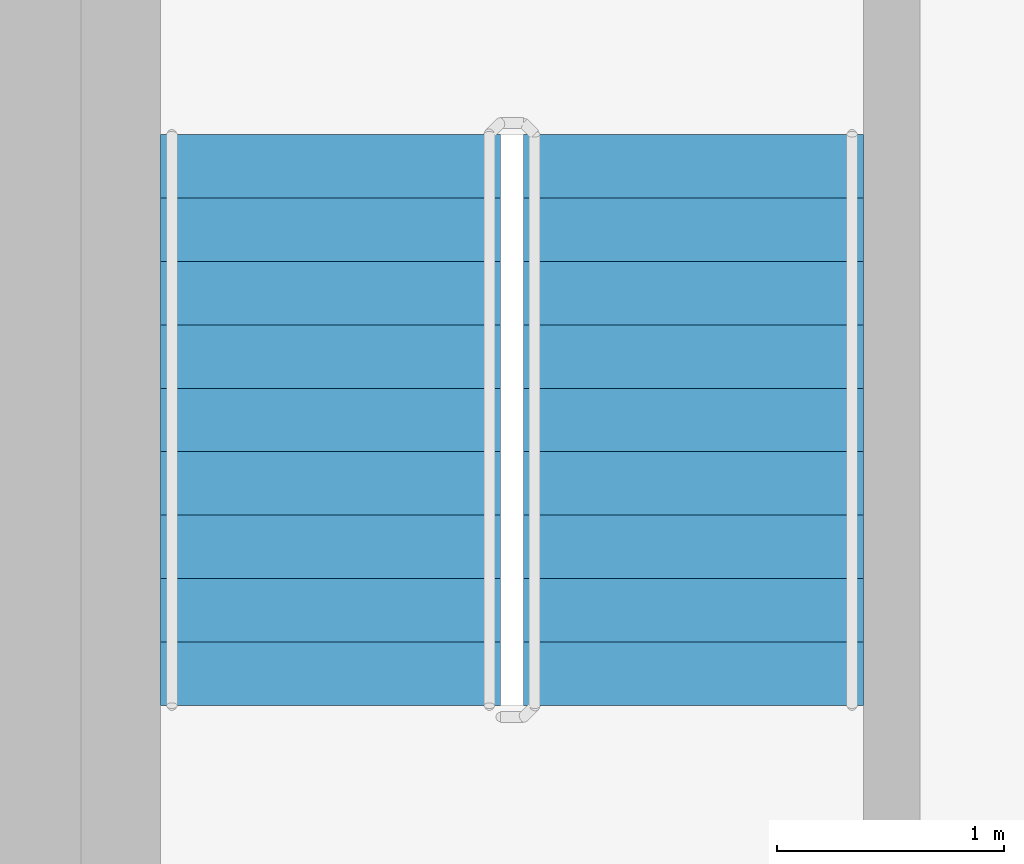
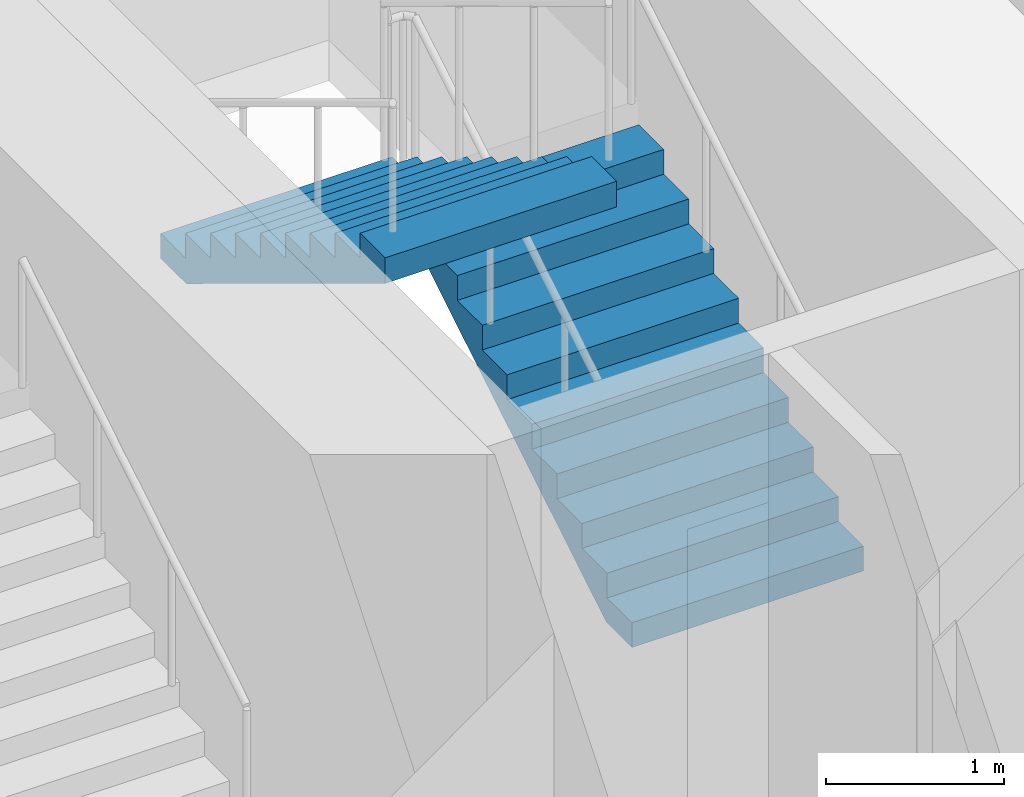
# One storey, part 13 of 22: 2 stair flights, 1 element without a shape of its own.
"""IFC4 building model written with IfcOpenShell, lengths in metres."""

from ifc_helpers import new_model, si_unit, direction, frame, origin, place, context, subcontext, project, spatial, triangles, source, transform, mapped, material, type_object, element, aggregate, save


model = new_model("IFC4")

# Units and contexts
model_context = context("Model", 3, precision=1e-05, world=origin(), true_north=direction((0.0, 1.0)))
body_context = subcontext(model_context, "Body", "Model", "MODEL_VIEW")
ifc_project = project(units=[si_unit("LENGTHUNIT", "METRE"), si_unit("AREAUNIT", "SQUARE_METRE"), si_unit("VOLUMEUNIT", "CUBIC_METRE"), si_unit("PLANEANGLEUNIT", "RADIAN"), si_unit("MASSUNIT", "GRAM", prefix="KILO")], contexts=[model_context])

# Site, building, storey
site_placement = place(None, origin())
site = spatial("IfcSite", under=ifc_project, at=site_placement, CompositionType="ELEMENT")
building_placement = place(site_placement, origin())
building = spatial("IfcBuilding", under=site, at=building_placement, Name="Kilnfold Tower and Market Hall", CompositionType="ELEMENT")
storey_placement = place(building_placement, frame((0.0, 0.0, 154.10009765625)))
storey = spatial("IfcBuildingStorey", under=building, at=storey_placement, Name="L35", CompositionType="ELEMENT", Elevation=154.10009765625)

# Stair, stair flights
ifc_material_1 = material(Name="Concrete C40/50", Category="concrete")
stair_type = type_object("IfcStairType", Name="CORE STAIR 1500", PredefinedType="HALF_TURN_STAIR", material=ifc_material_1)
stair_placement = place(storey_placement, origin())
stair = element("IfcStair", 1, at=stair_placement, inside=storey, type_object=stair_type, Name="L35 ST5", PredefinedType="HALF_TURN_STAIR")
ifc_material_2 = material(Name="Concrete C40/50", Category="concrete")
stair_flight_type = type_object("IfcStairFlightType", Name="CORE STAIR FLIGHT 1500", PredefinedType="STRAIGHT", material=ifc_material_2)
shared_shape = source(origin(), body_context, "Body", "Tessellation", [
    triangles([(0.0, 0.75, 0.0), (0.0, 0.65625, 0.0), (0.0, 0.5625, 0.0), (0.0, 0.46875, 0.0), (0.0, 0.375, 0.0), (0.0, 0.28125, 0.0), (0.0, 0.1875, 0.0), (0.0, 0.09375, 0.0), (0.0, 0.0, 0.0), (0.0, -0.09375, 0.0), (0.0, -0.1875, 0.0), (0.0, -0.28125, 0.0), (0.0, -0.375, 0.0), (0.0, -0.46875, 0.0), (0.0, -0.5625, 0.0), (0.0, -0.65625, 0.0), (0.0, -0.75, 0.0), (0.0, 0.75, 0.169921875), (0.0, 0.65625, 0.169921875), (0.0, 0.5625, 0.169921875), (0.0, 0.46875, 0.169921875), (0.0, 0.375, 0.169921875), (0.0, 0.28125, 0.169921875), (0.0, 0.1875, 0.169921875), (0.0, 0.09375, 0.169921875), (0.0, 0.0, 0.169921875), (0.0, -0.09375, 0.169921875), (0.0, -0.1875, 0.169921875), (0.0, -0.28125, 0.169921875), (0.0, -0.375, 0.169921875), (0.0, -0.46875, 0.169921875), (0.0, -0.5625, 0.169921875), (0.0, -0.65625, 0.169921875), (0.0, -0.75, 0.169921875), (0.280029296875, 0.75, 0.169921875), (0.280029296875, 0.65625, 0.169921875), (0.280029296875, 0.5625, 0.169921875), (0.280029296875, 0.46875, 0.169921875), (0.280029296875, 0.375, 0.169921875), (0.280029296875, 0.28125, 0.169921875), (0.280029296875, 0.1875, 0.169921875), (0.280029296875, 0.09375, 0.169921875), (0.280029296875, 0.0, 0.169921875), (0.280029296875, -0.09375, 0.169921875), (0.280029296875, -0.1875, 0.169921875), (0.280029296875, -0.28125, 0.169921875), (0.280029296875, -0.375, 0.169921875), (0.280029296875, -0.46875, 0.169921875), (0.280029296875, -0.5625, 0.169921875), (0.280029296875, -0.65625, 0.169921875), (0.280029296875, -0.75, 0.169921875), (0.280029296875, 0.75, 0.340087890625), (0.280029296875, 0.65625, 0.340087890625), (0.280029296875, 0.5625, 0.340087890625), (0.280029296875, 0.46875, 0.340087890625), (0.280029296875, 0.375, 0.340087890625), (0.280029296875, 0.28125, 0.340087890625), (0.280029296875, 0.1875, 0.340087890625), (0.280029296875, 0.09375, 0.340087890625), (0.280029296875, 0.0, 0.340087890625), (0.280029296875, -0.09375, 0.340087890625), (0.280029296875, -0.1875, 0.340087890625), (0.280029296875, -0.28125, 0.340087890625), (0.280029296875, -0.375, 0.340087890625), (0.280029296875, -0.46875, 0.340087890625), (0.280029296875, -0.5625, 0.340087890625), (0.280029296875, -0.65625, 0.340087890625), (0.280029296875, -0.75, 0.340087890625), (0.56005859375, 0.75, 0.340087890625), (0.56005859375, 0.65625, 0.340087890625), (0.56005859375, 0.5625, 0.340087890625), (0.56005859375, 0.46875, 0.340087890625), (0.56005859375, 0.375, 0.340087890625), (0.56005859375, 0.28125, 0.340087890625), (0.56005859375, 0.1875, 0.340087890625), (0.56005859375, 0.09375, 0.340087890625), (0.56005859375, 0.0, 0.340087890625), (0.56005859375, -0.09375, 0.340087890625), (0.56005859375, -0.1875, 0.340087890625), (0.56005859375, -0.28125, 0.340087890625), (0.56005859375, -0.375, 0.340087890625), (0.56005859375, -0.46875, 0.340087890625), (0.56005859375, -0.5625, 0.340087890625), (0.56005859375, -0.65625, 0.340087890625), (0.56005859375, -0.75, 0.340087890625), (0.56005859375, 0.75, 0.510009765625), (0.56005859375, 0.65625, 0.510009765625), (0.56005859375, 0.5625, 0.510009765625), (0.56005859375, 0.46875, 0.510009765625), (0.56005859375, 0.375, 0.510009765625), (0.56005859375, 0.28125, 0.510009765625), (0.56005859375, 0.1875, 0.510009765625), (0.56005859375, 0.09375, 0.510009765625), (0.56005859375, 0.0, 0.510009765625), (0.56005859375, -0.09375, 0.510009765625), (0.56005859375, -0.1875, 0.510009765625), (0.56005859375, -0.28125, 0.510009765625), (0.56005859375, -0.375, 0.510009765625), (0.56005859375, -0.46875, 0.510009765625), (0.56005859375, -0.5625, 0.510009765625), (0.56005859375, -0.65625, 0.510009765625), (0.56005859375, -0.75, 0.510009765625), (0.840087890625, 0.75, 0.510009765625), (0.840087890625, 0.65625, 0.510009765625), (0.840087890625, 0.5625, 0.510009765625), (0.840087890625, 0.46875, 0.510009765625), (0.840087890625, 0.375, 0.510009765625), (0.840087890625, 0.28125, 0.510009765625), (0.840087890625, 0.1875, 0.510009765625), (0.840087890625, 0.09375, 0.510009765625), (0.840087890625, 0.0, 0.510009765625), (0.840087890625, -0.09375, 0.510009765625), (0.840087890625, -0.1875, 0.510009765625), (0.840087890625, -0.28125, 0.510009765625), (0.840087890625, -0.375, 0.510009765625), (0.840087890625, -0.46875, 0.510009765625), (0.840087890625, -0.5625, 0.510009765625), (0.840087890625, -0.65625, 0.510009765625), (0.840087890625, -0.75, 0.510009765625), (0.840087890625, 0.75, 0.679931640625), (0.840087890625, 0.65625, 0.679931640625), (0.840087890625, 0.5625, 0.679931640625), (0.840087890625, 0.46875, 0.679931640625), (0.840087890625, 0.375, 0.679931640625), (0.840087890625, 0.28125, 0.679931640625), (0.840087890625, 0.1875, 0.679931640625), (0.840087890625, 0.09375, 0.679931640625), (0.840087890625, 0.0, 0.679931640625), (0.840087890625, -0.09375, 0.679931640625), (0.840087890625, -0.1875, 0.679931640625), (0.840087890625, -0.28125, 0.679931640625), (0.840087890625, -0.375, 0.679931640625), (0.840087890625, -0.46875, 0.679931640625), (0.840087890625, -0.5625, 0.679931640625), (0.840087890625, -0.65625, 0.679931640625), (0.840087890625, -0.75, 0.679931640625), (1.1201171875, 0.75, 0.679931640625), (1.1201171875, 0.65625, 0.679931640625), (1.1201171875, 0.5625, 0.679931640625), (1.1201171875, 0.46875, 0.679931640625), (1.1201171875, 0.375, 0.679931640625), (1.1201171875, 0.28125, 0.679931640625), (1.1201171875, 0.1875, 0.679931640625), (1.1201171875, 0.09375, 0.679931640625), (1.1201171875, 0.0, 0.679931640625), (1.1201171875, -0.09375, 0.679931640625), (1.1201171875, -0.1875, 0.679931640625), (1.1201171875, -0.28125, 0.679931640625), (1.1201171875, -0.375, 0.679931640625), (1.1201171875, -0.46875, 0.679931640625), (1.1201171875, -0.5625, 0.679931640625), (1.1201171875, -0.65625, 0.679931640625), (1.1201171875, -0.75, 0.679931640625), (1.1201171875, 0.75, 0.85009765625), (1.1201171875, 0.65625, 0.85009765625), (1.1201171875, 0.5625, 0.85009765625), (1.1201171875, 0.46875, 0.85009765625), (1.1201171875, 0.375, 0.85009765625), (1.1201171875, 0.28125, 0.85009765625), (1.1201171875, 0.1875, 0.85009765625), (1.1201171875, 0.09375, 0.85009765625), (1.1201171875, 0.0, 0.85009765625), (1.1201171875, -0.09375, 0.85009765625), (1.1201171875, -0.1875, 0.85009765625), (1.1201171875, -0.28125, 0.85009765625), (1.1201171875, -0.375, 0.85009765625), (1.1201171875, -0.46875, 0.85009765625), (1.1201171875, -0.5625, 0.85009765625), (1.1201171875, -0.65625, 0.85009765625), (1.1201171875, -0.75, 0.85009765625), (1.39990234375, 0.75, 0.85009765625), (1.39990234375, 0.65625, 0.85009765625), (1.39990234375, 0.5625, 0.85009765625), (1.39990234375, 0.46875, 0.85009765625), (1.39990234375, 0.375, 0.85009765625), (1.39990234375, 0.28125, 0.85009765625), (1.39990234375, 0.1875, 0.85009765625), (1.39990234375, 0.09375, 0.85009765625), (1.39990234375, 0.0, 0.85009765625), (1.39990234375, -0.09375, 0.85009765625), (1.39990234375, -0.1875, 0.85009765625), (1.39990234375, -0.28125, 0.85009765625), (1.39990234375, -0.375, 0.85009765625), (1.39990234375, -0.46875, 0.85009765625), (1.39990234375, -0.5625, 0.85009765625), (1.39990234375, -0.65625, 0.85009765625), (1.39990234375, -0.75, 0.85009765625), (1.39990234375, 0.75, 1.02001953125), (1.39990234375, 0.65625, 1.02001953125), (1.39990234375, 0.5625, 1.02001953125), (1.39990234375, 0.46875, 1.02001953125), (1.39990234375, 0.375, 1.02001953125), (1.39990234375, 0.28125, 1.02001953125), (1.39990234375, 0.1875, 1.02001953125), (1.39990234375, 0.09375, 1.02001953125), (1.39990234375, 0.0, 1.02001953125), (1.39990234375, -0.09375, 1.02001953125), (1.39990234375, -0.1875, 1.02001953125), (1.39990234375, -0.28125, 1.02001953125), (1.39990234375, -0.375, 1.02001953125), (1.39990234375, -0.46875, 1.02001953125), (1.39990234375, -0.5625, 1.02001953125), (1.39990234375, -0.65625, 1.02001953125), (1.39990234375, -0.75, 1.02001953125), (1.679931640625, 0.75, 1.02001953125), (1.679931640625, 0.65625, 1.02001953125), (1.679931640625, 0.5625, 1.02001953125), (1.679931640625, 0.46875, 1.02001953125), (1.679931640625, 0.375, 1.02001953125), (1.679931640625, 0.28125, 1.02001953125), (1.679931640625, 0.1875, 1.02001953125), (1.679931640625, 0.09375, 1.02001953125), (1.679931640625, 0.0, 1.02001953125), (1.679931640625, -0.09375, 1.02001953125), (1.679931640625, -0.1875, 1.02001953125), (1.679931640625, -0.28125, 1.02001953125), (1.679931640625, -0.375, 1.02001953125), (1.679931640625, -0.46875, 1.02001953125), (1.679931640625, -0.5625, 1.02001953125), (1.679931640625, -0.65625, 1.02001953125), (1.679931640625, -0.75, 1.02001953125), (1.679931640625, 0.75, 1.18994140625), (1.679931640625, 0.65625, 1.18994140625), (1.679931640625, 0.5625, 1.18994140625), (1.679931640625, 0.46875, 1.18994140625), (1.679931640625, 0.375, 1.18994140625), (1.679931640625, 0.28125, 1.18994140625), (1.679931640625, 0.1875, 1.18994140625), (1.679931640625, 0.09375, 1.18994140625), (1.679931640625, 0.0, 1.18994140625), (1.679931640625, -0.09375, 1.18994140625), (1.679931640625, -0.1875, 1.18994140625), (1.679931640625, -0.28125, 1.18994140625), (1.679931640625, -0.375, 1.18994140625), (1.679931640625, -0.46875, 1.18994140625), (1.679931640625, -0.5625, 1.18994140625), (1.679931640625, -0.65625, 1.18994140625), (1.679931640625, -0.75, 1.18994140625), (1.9599609375, 0.75, 1.18994140625), (1.9599609375, 0.65625, 1.18994140625), (1.9599609375, 0.5625, 1.18994140625), (1.9599609375, 0.46875, 1.18994140625), (1.9599609375, 0.375, 1.18994140625), (1.9599609375, 0.28125, 1.18994140625), (1.9599609375, 0.1875, 1.18994140625), (1.9599609375, 0.09375, 1.18994140625), (1.9599609375, 0.0, 1.18994140625), (1.9599609375, -0.09375, 1.18994140625), (1.9599609375, -0.1875, 1.18994140625), (1.9599609375, -0.28125, 1.18994140625), (1.9599609375, -0.375, 1.18994140625), (1.9599609375, -0.46875, 1.18994140625), (1.9599609375, -0.5625, 1.18994140625), (1.9599609375, -0.65625, 1.18994140625), (1.9599609375, -0.75, 1.18994140625), (1.9599609375, 0.75, 1.360107421875), (1.9599609375, 0.65625, 1.360107421875), (1.9599609375, 0.5625, 1.360107421875), (1.9599609375, 0.46875, 1.360107421875), (1.9599609375, 0.375, 1.360107421875), (1.9599609375, 0.28125, 1.360107421875), (1.9599609375, 0.1875, 1.360107421875), (1.9599609375, 0.09375, 1.360107421875), (1.9599609375, 0.0, 1.360107421875), (1.9599609375, -0.09375, 1.360107421875), (1.9599609375, -0.1875, 1.360107421875), (1.9599609375, -0.28125, 1.360107421875), (1.9599609375, -0.375, 1.360107421875), (1.9599609375, -0.46875, 1.360107421875), (1.9599609375, -0.5625, 1.360107421875), (1.9599609375, -0.65625, 1.360107421875), (1.9599609375, -0.75, 1.360107421875), (2.239990234375, 0.75, 1.360107421875), (2.239990234375, 0.65625, 1.360107421875), (2.239990234375, 0.5625, 1.360107421875), (2.239990234375, 0.46875, 1.360107421875), (2.239990234375, 0.375, 1.360107421875), (2.239990234375, 0.28125, 1.360107421875), (2.239990234375, 0.1875, 1.360107421875), (2.239990234375, 0.09375, 1.360107421875), (2.239990234375, 0.0, 1.360107421875), (2.239990234375, -0.09375, 1.360107421875), (2.239990234375, -0.1875, 1.360107421875), (2.239990234375, -0.28125, 1.360107421875), (2.239990234375, -0.375, 1.360107421875), (2.239990234375, -0.46875, 1.360107421875), (2.239990234375, -0.5625, 1.360107421875), (2.239990234375, -0.65625, 1.360107421875), (2.239990234375, -0.75, 1.360107421875), (2.239990234375, 0.75, 1.530029296875), (2.239990234375, 0.65625, 1.530029296875), (2.239990234375, 0.5625, 1.530029296875), (2.239990234375, 0.46875, 1.530029296875), (2.239990234375, 0.375, 1.530029296875), (2.239990234375, 0.28125, 1.530029296875), (2.239990234375, 0.1875, 1.530029296875), (2.239990234375, 0.09375, 1.530029296875), (2.239990234375, 0.0, 1.530029296875), (2.239990234375, -0.09375, 1.530029296875), (2.239990234375, -0.1875, 1.530029296875), (2.239990234375, -0.28125, 1.530029296875), (2.239990234375, -0.375, 1.530029296875), (2.239990234375, -0.46875, 1.530029296875), (2.239990234375, -0.5625, 1.530029296875), (2.239990234375, -0.65625, 1.530029296875), (2.239990234375, -0.75, 1.530029296875), (2.52001953125, 0.75, 1.530029296875), (2.52001953125, 0.65625, 1.530029296875), (2.52001953125, 0.5625, 1.530029296875), (2.52001953125, 0.46875, 1.530029296875), (2.52001953125, 0.375, 1.530029296875), (2.52001953125, 0.28125, 1.530029296875), (2.52001953125, 0.1875, 1.530029296875), (2.52001953125, 0.09375, 1.530029296875), (2.52001953125, 0.0, 1.530029296875), (2.52001953125, -0.09375, 1.530029296875), (2.52001953125, -0.1875, 1.530029296875), (2.52001953125, -0.28125, 1.530029296875), (2.52001953125, -0.375, 1.530029296875), (2.52001953125, -0.46875, 1.530029296875), (2.52001953125, -0.5625, 1.530029296875), (2.52001953125, -0.65625, 1.530029296875), (2.52001953125, -0.75, 1.530029296875), (2.52001953125, 0.75, 1.354736328125), (2.52001953125, 0.65625, 1.354736328125), (2.52001953125, 0.5625, 1.354736328125), (2.52001953125, 0.46875, 1.354736328125), (2.52001953125, 0.375, 1.354736328125), (2.52001953125, 0.28125, 1.354736328125), (2.52001953125, 0.1875, 1.354736328125), (2.52001953125, 0.09375, 1.354736328125), (2.52001953125, 0.0, 1.354736328125), (2.52001953125, -0.09375, 1.354736328125), (2.52001953125, -0.1875, 1.354736328125), (2.52001953125, -0.28125, 1.354736328125), (2.52001953125, -0.375, 1.354736328125), (2.52001953125, -0.46875, 1.354736328125), (2.52001953125, -0.5625, 1.354736328125), (2.52001953125, -0.65625, 1.354736328125), (2.52001953125, -0.75, 1.354736328125), (0.288818359375, 0.75, 0.0), (0.288818359375, 0.65625, 0.0), (0.288818359375, 0.5625, 0.0), (0.288818359375, 0.46875, 0.0), (0.288818359375, 0.375, 0.0), (0.288818359375, 0.28125, 0.0), (0.288818359375, 0.1875, 0.0), (0.288818359375, 0.09375, 0.0), (0.288818359375, 0.0, 0.0), (0.288818359375, -0.09375, 0.0), (0.288818359375, -0.1875, 0.0), (0.288818359375, -0.28125, 0.0), (0.288818359375, -0.375, 0.0), (0.288818359375, -0.46875, 0.0), (0.288818359375, -0.5625, 0.0), (0.288818359375, -0.65625, 0.0), (0.288818359375, -0.75, 0.0)], [[1, 324, 341], [17, 357, 340], [324, 290, 307], [340, 323, 306], [324, 273, 290], [340, 306, 289], [324, 256, 273], [340, 289, 272], [324, 239, 256], [340, 272, 255], [239, 205, 222], [255, 238, 221], [324, 205, 239], [340, 255, 221], [205, 171, 188], [221, 204, 187], [324, 171, 205], [340, 221, 187], [171, 137, 154], [187, 170, 153], [324, 137, 171], [340, 187, 153], [137, 103, 120], [153, 136, 119], [324, 103, 137], [340, 153, 119], [103, 69, 86], [119, 102, 85], [324, 69, 103], [340, 119, 85], [69, 35, 52], [85, 68, 51], [324, 35, 69], [340, 85, 51], [1, 35, 324], [17, 340, 51], [35, 1, 18], [51, 34, 17], [1, 19, 18], [1, 2, 19], [2, 20, 19], [2, 3, 20], [3, 21, 20], [3, 4, 21], [4, 22, 21], [4, 5, 22], [5, 23, 22], [5, 6, 23], [6, 24, 23], [6, 7, 24], [7, 25, 24], [7, 8, 25], [8, 26, 25], [8, 9, 26], [9, 27, 26], [9, 10, 27], [10, 28, 27], [10, 11, 28], [11, 29, 28], [11, 12, 29], [12, 30, 29], [12, 13, 30], [13, 31, 30], [13, 14, 31], [14, 32, 31], [14, 15, 32], [15, 33, 32], [15, 16, 33], [16, 34, 33], [16, 17, 34], [18, 36, 35], [18, 19, 36], [19, 37, 36], [19, 20, 37], [20, 38, 37], [20, 21, 38], [21, 39, 38], [21, 22, 39], [22, 40, 39], [22, 23, 40], [23, 41, 40], [23, 24, 41], [24, 42, 41], [24, 25, 42], [25, 43, 42], [25, 26, 43], [26, 44, 43], [26, 27, 44], [27, 45, 44], [27, 28, 45], [28, 46, 45], [28, 29, 46], [29, 47, 46], [29, 30, 47], [30, 48, 47], [30, 31, 48], [31, 49, 48], [31, 32, 49], [32, 50, 49], [32, 33, 50], [33, 51, 50], [33, 34, 51], [35, 53, 52], [35, 36, 53], [36, 54, 53], [36, 37, 54], [37, 55, 54], [37, 38, 55], [38, 56, 55], [38, 39, 56], [39, 57, 56], [39, 40, 57], [40, 58, 57], [40, 41, 58], [41, 59, 58], [41, 42, 59], [42, 60, 59], [42, 43, 60], [43, 61, 60], [43, 44, 61], [44, 62, 61], [44, 45, 62], [45, 63, 62], [45, 46, 63], [46, 64, 63], [46, 47, 64], [47, 65, 64], [47, 48, 65], [48, 66, 65], [48, 49, 66], [49, 67, 66], [49, 50, 67], [50, 68, 67], [50, 51, 68], [52, 70, 69], [52, 53, 70], [53, 71, 70], [53, 54, 71], [54, 72, 71], [54, 55, 72], [55, 73, 72], [55, 56, 73], [56, 74, 73], [56, 57, 74], [57, 75, 74], [57, 58, 75], [58, 76, 75], [58, 59, 76], [59, 77, 76], [59, 60, 77], [60, 78, 77], [60, 61, 78], [61, 79, 78], [61, 62, 79], [62, 80, 79], [62, 63, 80], [63, 81, 80], [63, 64, 81], [64, 82, 81], [64, 65, 82], [65, 83, 82], [65, 66, 83], [66, 84, 83], [66, 67, 84], [67, 85, 84], [67, 68, 85], [69, 87, 86], [69, 70, 87], [70, 88, 87], [70, 71, 88], [71, 89, 88], [71, 72, 89], [72, 90, 89], [72, 73, 90], [73, 91, 90], [73, 74, 91], [74, 92, 91], [74, 75, 92], [75, 93, 92], [75, 76, 93], [76, 94, 93], [76, 77, 94], [77, 95, 94], [77, 78, 95], [78, 96, 95], [78, 79, 96], [79, 97, 96], [79, 80, 97], [80, 98, 97], [80, 81, 98], [81, 99, 98], [81, 82, 99], [82, 100, 99], [82, 83, 100], [83, 101, 100], [83, 84, 101], [84, 102, 101], [84, 85, 102], [86, 104, 103], [86, 87, 104], [87, 105, 104], [87, 88, 105], [88, 106, 105], [88, 89, 106], [89, 107, 106], [89, 90, 107], [90, 108, 107], [90, 91, 108], [91, 109, 108], [91, 92, 109], [92, 110, 109], [92, 93, 110], [93, 111, 110], [93, 94, 111], [94, 112, 111], [94, 95, 112], [95, 113, 112], [95, 96, 113], [96, 114, 113], [96, 97, 114], [97, 115, 114], [97, 98, 115], [98, 116, 115], [98, 99, 116], [99, 117, 116], [99, 100, 117], [100, 118, 117], [100, 101, 118], [101, 119, 118], [101, 102, 119], [103, 121, 120], [103, 104, 121], [104, 122, 121], [104, 105, 122], [105, 123, 122], [105, 106, 123], [106, 124, 123], [106, 107, 124], [107, 125, 124], [107, 108, 125], [108, 126, 125], [108, 109, 126], [109, 127, 126], [109, 110, 127], [110, 128, 127], [110, 111, 128], [111, 129, 128], [111, 112, 129], [112, 130, 129], [112, 113, 130], [113, 131, 130], [113, 114, 131], [114, 132, 131], [114, 115, 132], [115, 133, 132], [115, 116, 133], [116, 134, 133], [116, 117, 134], [117, 135, 134], [117, 118, 135], [118, 136, 135], [118, 119, 136], [120, 138, 137], [120, 121, 138], [121, 139, 138], [121, 122, 139], [122, 140, 139], [122, 123, 140], [123, 141, 140], [123, 124, 141], [124, 142, 141], [124, 125, 142], [125, 143, 142], [125, 126, 143], [126, 144, 143], [126, 127, 144], [127, 145, 144], [127, 128, 145], [128, 146, 145], [128, 129, 146], [129, 147, 146], [129, 130, 147], [130, 148, 147], [130, 131, 148], [131, 149, 148], [131, 132, 149], [132, 150, 149], [132, 133, 150], [133, 151, 150], [133, 134, 151], [134, 152, 151], [134, 135, 152], [135, 153, 152], [135, 136, 153], [137, 155, 154], [137, 138, 155], [138, 156, 155], [138, 139, 156], [139, 157, 156], [139, 140, 157], [140, 158, 157], [140, 141, 158], [141, 159, 158], [141, 142, 159], [142, 160, 159], [142, 143, 160], [143, 161, 160], [143, 144, 161], [144, 162, 161], [144, 145, 162], [145, 163, 162], [145, 146, 163], [146, 164, 163], [146, 147, 164], [147, 165, 164], [147, 148, 165], [148, 166, 165], [148, 149, 166], [149, 167, 166], [149, 150, 167], [150, 168, 167], [150, 151, 168], [151, 169, 168], [151, 152, 169], [152, 170, 169], [152, 153, 170], [154, 172, 171], [154, 155, 172], [155, 173, 172], [155, 156, 173], [156, 174, 173], [156, 157, 174], [157, 175, 174], [157, 158, 175], [158, 176, 175], [158, 159, 176], [159, 177, 176], [159, 160, 177], [160, 178, 177], [160, 161, 178], [161, 179, 178], [161, 162, 179], [162, 180, 179], [162, 163, 180], [163, 181, 180], [163, 164, 181], [164, 182, 181], [164, 165, 182], [165, 183, 182], [165, 166, 183], [166, 184, 183], [166, 167, 184], [167, 185, 184], [167, 168, 185], [168, 186, 185], [168, 169, 186], [169, 187, 186], [169, 170, 187], [171, 189, 188], [171, 172, 189], [172, 190, 189], [172, 173, 190], [173, 191, 190], [173, 174, 191], [174, 192, 191], [174, 175, 192], [175, 193, 192], [175, 176, 193], [176, 194, 193], [176, 177, 194], [177, 195, 194], [177, 178, 195], [178, 196, 195], [178, 179, 196], [179, 197, 196], [179, 180, 197], [180, 198, 197], [180, 181, 198], [181, 199, 198], [181, 182, 199], [182, 200, 199], [182, 183, 200], [183, 201, 200], [183, 184, 201], [184, 202, 201], [184, 185, 202], [185, 203, 202], [185, 186, 203], [186, 204, 203], [186, 187, 204], [188, 206, 205], [188, 189, 206], [189, 207, 206], [189, 190, 207], [190, 208, 207], [190, 191, 208], [191, 209, 208], [191, 192, 209], [192, 210, 209], [192, 193, 210], [193, 211, 210], [193, 194, 211], [194, 212, 211], [194, 195, 212], [195, 213, 212], [195, 196, 213], [196, 214, 213], [196, 197, 214], [197, 215, 214], [197, 198, 215], [198, 216, 215], [198, 199, 216], [199, 217, 216], [199, 200, 217], [200, 218, 217], [200, 201, 218], [201, 219, 218], [201, 202, 219], [202, 220, 219], [202, 203, 220], [203, 221, 220], [203, 204, 221], [205, 223, 222], [205, 206, 223], [206, 224, 223], [206, 207, 224], [207, 225, 224], [207, 208, 225], [208, 226, 225], [208, 209, 226], [209, 227, 226], [209, 210, 227], [210, 228, 227], [210, 211, 228], [211, 229, 228], [211, 212, 229], [212, 230, 229], [212, 213, 230], [213, 231, 230], [213, 214, 231], [214, 232, 231], [214, 215, 232], [215, 233, 232], [215, 216, 233], [216, 234, 233], [216, 217, 234], [217, 235, 234], [217, 218, 235], [218, 236, 235], [218, 219, 236], [219, 237, 236], [219, 220, 237], [220, 238, 237], [220, 221, 238], [222, 240, 239], [222, 223, 240], [223, 241, 240], [223, 224, 241], [224, 242, 241], [224, 225, 242], [225, 243, 242], [225, 226, 243], [226, 244, 243], [226, 227, 244], [227, 245, 244], [227, 228, 245], [228, 246, 245], [228, 229, 246], [229, 247, 246], [229, 230, 247], [230, 248, 247], [230, 231, 248], [231, 249, 248], [231, 232, 249], [232, 250, 249], [232, 233, 250], [233, 251, 250], [233, 234, 251], [234, 252, 251], [234, 235, 252], [235, 253, 252], [235, 236, 253], [236, 254, 253], [236, 237, 254], [237, 255, 254], [237, 238, 255], [239, 257, 256], [239, 240, 257], [240, 258, 257], [240, 241, 258], [241, 259, 258], [241, 242, 259], [242, 260, 259], [242, 243, 260], [243, 261, 260], [243, 244, 261], [244, 262, 261], [244, 245, 262], [245, 263, 262], [245, 246, 263], [246, 264, 263], [246, 247, 264], [247, 265, 264], [247, 248, 265], [248, 266, 265], [248, 249, 266], [249, 267, 266], [249, 250, 267], [250, 268, 267], [250, 251, 268], [251, 269, 268], [251, 252, 269], [252, 270, 269], [252, 253, 270], [253, 271, 270], [253, 254, 271], [254, 272, 271], [254, 255, 272], [256, 274, 273], [256, 257, 274], [257, 275, 274], [257, 258, 275], [258, 276, 275], [258, 259, 276], [259, 277, 276], [259, 260, 277], [260, 278, 277], [260, 261, 278], [261, 279, 278], [261, 262, 279], [262, 280, 279], [262, 263, 280], [263, 281, 280], [263, 264, 281], [264, 282, 281], [264, 265, 282], [265, 283, 282], [265, 266, 283], [266, 284, 283], [266, 267, 284], [267, 285, 284], [267, 268, 285], [268, 286, 285], [268, 269, 286], [269, 287, 286], [269, 270, 287], [270, 288, 287], [270, 271, 288], [271, 289, 288], [271, 272, 289], [273, 291, 290], [273, 274, 291], [274, 292, 291], [274, 275, 292], [275, 293, 292], [275, 276, 293], [276, 294, 293], [276, 277, 294], [277, 295, 294], [277, 278, 295], [278, 296, 295], [278, 279, 296], [279, 297, 296], [279, 280, 297], [280, 298, 297], [280, 281, 298], [281, 299, 298], [281, 282, 299], [282, 300, 299], [282, 283, 300], [283, 301, 300], [283, 284, 301], [284, 302, 301], [284, 285, 302], [285, 303, 302], [285, 286, 303], [286, 304, 303], [286, 287, 304], [287, 305, 304], [287, 288, 305], [288, 306, 305], [288, 289, 306], [290, 308, 307], [290, 291, 308], [291, 309, 308], [291, 292, 309], [292, 310, 309], [292, 293, 310], [293, 311, 310], [293, 294, 311], [294, 312, 311], [294, 295, 312], [295, 313, 312], [295, 296, 313], [296, 314, 313], [296, 297, 314], [297, 315, 314], [297, 298, 315], [298, 316, 315], [298, 299, 316], [299, 317, 316], [299, 300, 317], [300, 318, 317], [300, 301, 318], [301, 319, 318], [301, 302, 319], [302, 320, 319], [302, 303, 320], [303, 321, 320], [303, 304, 321], [304, 322, 321], [304, 305, 322], [305, 323, 322], [305, 306, 323], [307, 325, 324], [307, 308, 325], [308, 326, 325], [308, 309, 326], [309, 327, 326], [309, 310, 327], [310, 328, 327], [310, 311, 328], [311, 329, 328], [311, 312, 329], [312, 330, 329], [312, 313, 330], [313, 331, 330], [313, 314, 331], [314, 332, 331], [314, 315, 332], [315, 333, 332], [315, 316, 333], [316, 334, 333], [316, 317, 334], [317, 335, 334], [317, 318, 335], [318, 336, 335], [318, 319, 336], [319, 337, 336], [319, 320, 337], [320, 338, 337], [320, 321, 338], [321, 339, 338], [321, 322, 339], [322, 340, 339], [322, 323, 340], [324, 342, 341], [324, 325, 342], [325, 343, 342], [325, 326, 343], [326, 344, 343], [326, 327, 344], [327, 345, 344], [327, 328, 345], [328, 346, 345], [328, 329, 346], [329, 347, 346], [329, 330, 347], [330, 348, 347], [330, 331, 348], [331, 349, 348], [331, 332, 349], [332, 350, 349], [332, 333, 350], [333, 351, 350], [333, 334, 351], [334, 352, 351], [334, 335, 352], [335, 353, 352], [335, 336, 353], [336, 354, 353], [336, 337, 354], [337, 355, 354], [337, 338, 355], [338, 356, 355], [338, 339, 356], [339, 357, 356], [339, 340, 357], [341, 2, 1], [341, 342, 2], [342, 3, 2], [342, 343, 3], [343, 4, 3], [343, 344, 4], [344, 5, 4], [344, 345, 5], [345, 6, 5], [345, 346, 6], [346, 7, 6], [346, 347, 7], [347, 8, 7], [347, 348, 8], [348, 9, 8], [348, 349, 9], [349, 10, 9], [349, 350, 10], [350, 11, 10], [350, 351, 11], [351, 12, 11], [351, 352, 12], [352, 13, 12], [352, 353, 13], [353, 14, 13], [353, 354, 14], [354, 15, 14], [354, 355, 15], [355, 16, 15], [355, 356, 16], [356, 17, 16], [356, 357, 17]], closed=True),
])
stair_flight_1_placement = place(storey_placement, frame((20.699951171875, 11.5, 0.0), z_axis=(0.0, 0.0, 1.0), x_axis=(0.0, 1.0, 0.0)))
stair_flight_1 = element("IfcStairFlight", 2, at=stair_flight_1_placement, type_object=stair_flight_type, Name="ST5 flight 1", NumberOfRisers=10, NumberOfTreads=9, PredefinedType="STRAIGHT", RiserHeight=0.17, TreadLength=0.28, context=body_context, shape_type="MappedRepresentation", body=[
    mapped(shared_shape, transform((0.0, 0.0, 0.0))),
])
stair_flight_2_placement = place(storey_placement, frame((19.10009765625, 14.02001953125, 1.699951171875), z_axis=(0.0, 0.0, 1.0), x_axis=(0.0, -1.0, 0.0)))
stair_flight_2 = element("IfcStairFlight", 3, at=stair_flight_2_placement, type_object=stair_flight_type, Name="ST5 flight 2", NumberOfRisers=10, NumberOfTreads=9, PredefinedType="STRAIGHT", RiserHeight=0.17, TreadLength=0.28, context=body_context, shape_type="MappedRepresentation", body=[
    mapped(shared_shape, transform((0.0, 0.0, 0.0))),
])
aggregate(stair, [stair_flight_1, stair_flight_2])

save(model, "model.ifc")
